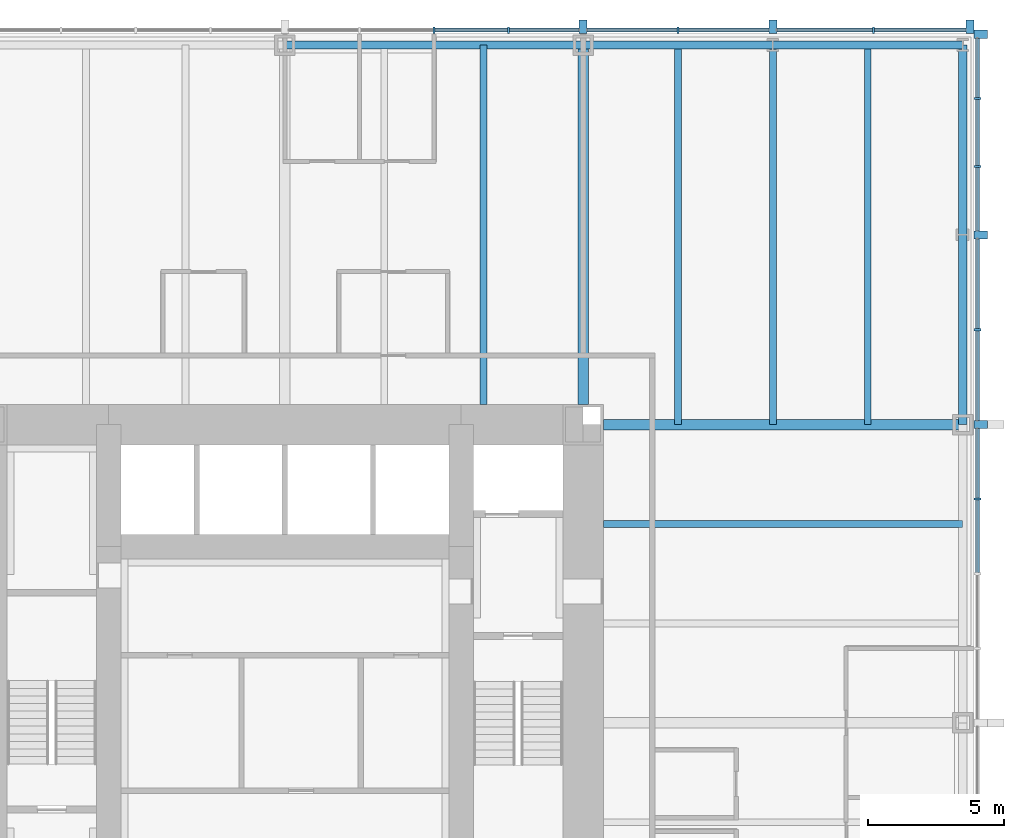
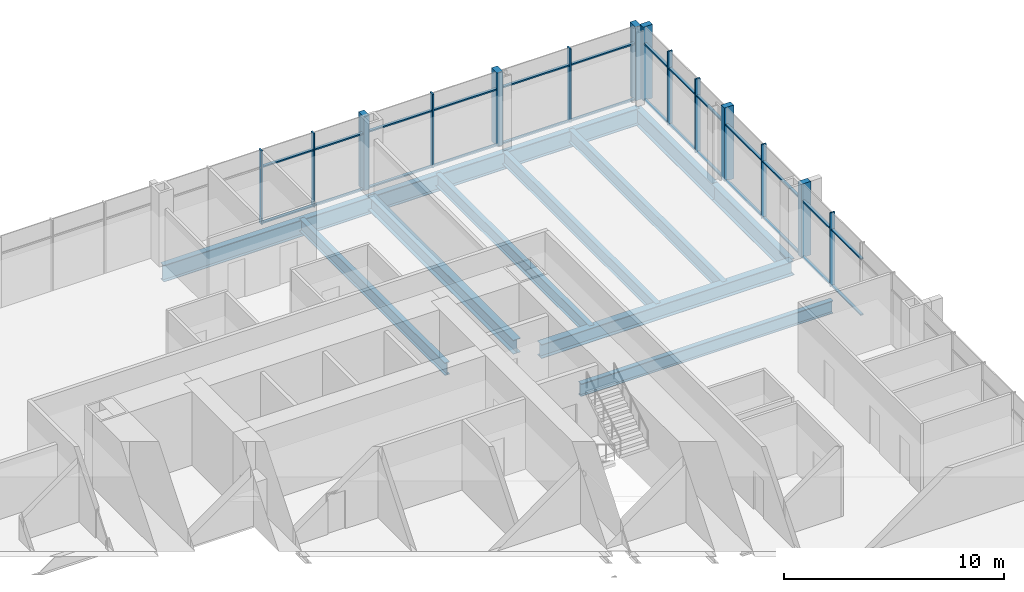
# One storey, part 6 of 12: 40 members, 12 beams, 2 elements without a shape of their own.
"""IFC4 building model written with IfcOpenShell, lengths in metres."""

from ifc_helpers import new_model, si_unit, direction, frame, origin, origin_2d, place, context, subcontext, project, spatial, rectangle, i_section, extrude, material, material_profile, profile_set, type_object, element, aggregate, save


model = new_model("IFC4")

# Units and contexts
model_context = context("Model", 3, precision=1e-05, world=origin(), true_north=direction((0.0, 1.0)))
body_context = subcontext(model_context, "Body", "Model", "MODEL_VIEW")
ifc_project = project(units=[si_unit("LENGTHUNIT", "METRE"), si_unit("AREAUNIT", "SQUARE_METRE"), si_unit("VOLUMEUNIT", "CUBIC_METRE"), si_unit("PLANEANGLEUNIT", "RADIAN"), si_unit("MASSUNIT", "GRAM", prefix="KILO")], contexts=[model_context])

# Site, building, storey
site_placement = place(None, origin())
site = spatial("IfcSite", under=ifc_project, at=site_placement, CompositionType="ELEMENT")
building_placement = place(site_placement, origin())
building = spatial("IfcBuilding", under=site, at=building_placement, Name="Trevanion Tower", CompositionType="ELEMENT")
storey_placement = place(building_placement, frame((0.0, 0.0, 24.199951171875)))
storey = spatial("IfcBuildingStorey", under=building, at=storey_placement, Name="L05", CompositionType="ELEMENT", Elevation=24.199951171875)

# Beams
ifc_material_1 = material(Name="Steel ASTM A992 Grade 50", Category="steel")
ifc_material_profile_1 = material_profile(ifc_material_1, i_section(OverallWidth=0.25390625, OverallDepth=0.700927734375, WebThickness=0.015380859375, FlangeThickness=0.02783203125, at=origin_2d()), Name="W27X129")
ifc_profile_set_1 = profile_set([ifc_material_profile_1], Name="Steel ASTM A992 Grade 50")
beam_type_1 = type_object("IfcBeamType", Name="B3 W27X129", PredefinedType="BEAM", material=ifc_profile_set_1)
for number, where, z_axis, x_axis, name in (
    (1, (11.75, 7.333251953125, -0.54052734375), (1.0, 0.0, 0.0), (0.0, 1.0, 0.0), "B3 L05"),
    (2, (7.333251953125, 11.75, -0.54052734375), (0.0, 1.0, 0.0), (-1.0, 0.0, 0.0), "B3 L05"),
):
    element("IfcBeam", number, at=place(storey_placement, frame(where, z_axis=z_axis, x_axis=x_axis)), inside=storey, type_object=beam_type_1, Name=name, PredefinedType="BEAM", context=body_context, shape_type="SweptSolid", body=[
        extrude(i_section(OverallWidth=0.25390625, OverallDepth=0.700927734375, WebThickness=0.015380859375, FlangeThickness=0.02783203125, at=origin_2d()), origin(), (0.0, 0.0, 1.0), 13.25),
    ])
ifc_material_2 = material(Name="Steel ASTM A992 Grade 50", Category="steel")
ifc_material_profile_2 = material_profile(ifc_material_2, i_section(OverallWidth=0.256591796875, OverallDepth=0.693359375, WebThickness=0.014404296875, FlangeThickness=0.023681640625, at=origin_2d()), Name="W27X114")
ifc_profile_set_2 = profile_set([ifc_material_profile_2], Name="Steel ASTM A992 Grade 50")
beam_type_2 = type_object("IfcBeamType", Name="B4 W27X114", PredefinedType="BEAM", material=ifc_profile_set_2)
for number, where, z_axis, x_axis, name in (
    (3, (14.5, 11.0, -0.53662109375), (0.0, 1.0, 0.0), (-1.0, 0.0, 0.0), "B4 L05"),
    (4, (18.0, 11.0, -0.53662109375), (0.0, 1.0, 0.0), (-1.0, 0.0, 0.0), "B4 L05"),
    (5, (21.5, 11.0, -0.53662109375), (0.0, 1.0, 0.0), (-1.0, 0.0, 0.0), "B4 L05"),
):
    element("IfcBeam", number, at=place(storey_placement, frame(where, z_axis=z_axis, x_axis=x_axis)), inside=storey, type_object=beam_type_2, Name=name, PredefinedType="BEAM", context=body_context, shape_type="SweptSolid", body=[
        extrude(i_section(OverallWidth=0.256591796875, OverallDepth=0.693359375, WebThickness=0.014404296875, FlangeThickness=0.023681640625, at=origin_2d()), origin(), (0.0, 0.0, 1.0), 14.0),
    ])

# Curtain wall, members
ifc_material_3 = material(Name="Aluminium and glass", Category="aluminium")
curtain_wall_type = type_object("IfcCurtainWallType", Name="CW1 curtain wall", PredefinedType="USERDEFINED", material=ifc_material_3)
curtain_wall_1_placement = place(storey_placement, origin())
curtain_wall_1 = element("IfcCurtainWall", 6, at=curtain_wall_1_placement, inside=storey, type_object=curtain_wall_type, Name="CW1 L05 0", ObjectType="UNITISED CURTAIN WALL", PredefinedType="USERDEFINED")
ifc_material_4 = material(Name="Aluminium extrusion, anodised bronze", Category="aluminium")
ifc_material_profile_3 = material_profile(ifc_material_4, rectangle(XDim=0.074951171875, YDim=0.25, at=origin_2d()), Name="CW1 mullion")
ifc_profile_set_3 = profile_set([ifc_material_profile_3], Name="Aluminium extrusion, anodised bronze")
member_type_1 = type_object("IfcMemberType", Name="CW1 mullion", PredefinedType="MULLION", material=ifc_profile_set_3)
member_1_placement = place(storey_placement, frame((25.550048828125, 8.25, -0.18994140625), z_axis=(0.0, 0.0, 1.0), x_axis=(0.0, 1.0, 0.0)))
member_1 = element("IfcMember", 7, at=member_1_placement, type_object=member_type_1, Name="CW1 mullion 12", PredefinedType="MULLION", context=body_context, shape_type="SweptSolid", body=[
    extrude(rectangle(XDim=0.074951171875, YDim=0.25, at=origin_2d()), origin(), (0.0, 0.0, 1.0), 4.10009765625),
])
member_2_placement = place(storey_placement, frame((25.550048828125, 14.5, -0.18994140625), z_axis=(0.0, 0.0, 1.0), x_axis=(0.0, 1.0, 0.0)))
member_2 = element("IfcMember", 8, at=member_2_placement, type_object=member_type_1, Name="CW1 mullion 14", PredefinedType="MULLION", context=body_context, shape_type="SweptSolid", body=[
    extrude(rectangle(XDim=0.074951171875, YDim=0.25, at=origin_2d()), origin(), (0.0, 0.0, 1.0), 4.10009765625),
])
member_3_placement = place(storey_placement, frame((25.550048828125, 20.5166015625, -0.18994140625), z_axis=(0.0, 0.0, 1.0), x_axis=(0.0, 1.0, 0.0)))
member_3 = element("IfcMember", 9, at=member_3_placement, type_object=member_type_1, Name="CW1 mullion 16", PredefinedType="MULLION", context=body_context, shape_type="SweptSolid", body=[
    extrude(rectangle(XDim=0.074951171875, YDim=0.25, at=origin_2d()), origin(), (0.0, 0.0, 1.0), 4.10009765625),
])
member_4_placement = place(storey_placement, frame((25.550048828125, 23.033203125, -0.18994140625), z_axis=(0.0, 0.0, 1.0), x_axis=(0.0, 1.0, 0.0)))
member_4 = element("IfcMember", 10, at=member_4_placement, type_object=member_type_1, Name="CW1 mullion 17", PredefinedType="MULLION", context=body_context, shape_type="SweptSolid", body=[
    extrude(rectangle(XDim=0.074951171875, YDim=0.25, at=origin_2d()), origin(), (0.0, 0.0, 1.0), 4.10009765625),
])

curtain_wall_2_placement = place(storey_placement, origin())
curtain_wall_2 = element("IfcCurtainWall", 11, at=curtain_wall_2_placement, inside=storey, type_object=curtain_wall_type, Name="CW1 L05 1", ObjectType="UNITISED CURTAIN WALL", PredefinedType="USERDEFINED")
member_5_placement = place(storey_placement, frame((21.7099609375, 25.550048828125, -0.18994140625), z_axis=(0.0, 0.0, 1.0), x_axis=(-1.0, 0.0, 0.0)))
member_5 = element("IfcMember", 12, at=member_5_placement, type_object=member_type_1, Name="CW1 mullion 2", PredefinedType="MULLION", context=body_context, shape_type="SweptSolid", body=[
    extrude(rectangle(XDim=0.074951171875, YDim=0.25, at=origin_2d()), origin(), (0.0, 0.0, 1.0), 4.10009765625),
])
member_6_placement = place(storey_placement, frame((14.5, 25.550048828125, -0.18994140625), z_axis=(0.0, 0.0, 1.0), x_axis=(-1.0, 0.0, 0.0)))
member_6 = element("IfcMember", 13, at=member_6_placement, type_object=member_type_1, Name="CW1 mullion 4", PredefinedType="MULLION", context=body_context, shape_type="SweptSolid", body=[
    extrude(rectangle(XDim=0.074951171875, YDim=0.25, at=origin_2d()), origin(), (0.0, 0.0, 1.0), 4.10009765625),
])
member_7_placement = place(storey_placement, frame((8.25, 25.550048828125, -0.18994140625), z_axis=(0.0, 0.0, 1.0), x_axis=(-1.0, 0.0, 0.0)))
member_7 = element("IfcMember", 14, at=member_7_placement, type_object=member_type_1, Name="CW1 mullion 6", PredefinedType="MULLION", context=body_context, shape_type="SweptSolid", body=[
    extrude(rectangle(XDim=0.074951171875, YDim=0.25, at=origin_2d()), origin(), (0.0, 0.0, 1.0), 4.10009765625),
])
member_8_placement = place(storey_placement, frame((5.5, 25.550048828125, -0.18994140625), z_axis=(0.0, 0.0, 1.0), x_axis=(-1.0, 0.0, 0.0)))
member_8 = element("IfcMember", 15, at=member_8_placement, type_object=member_type_1, Name="CW1 mullion 7", PredefinedType="MULLION", context=body_context, shape_type="SweptSolid", body=[
    extrude(rectangle(XDim=0.074951171875, YDim=0.25, at=origin_2d()), origin(), (0.0, 0.0, 1.0), 4.10009765625),
])

# Member
ifc_material_5 = material(Name="Aluminium extrusion, anodised bronze", Category="aluminium")
ifc_material_profile_4 = material_profile(ifc_material_5, rectangle(XDim=0.300048828125, YDim=0.5, at=origin_2d()), Name="CW1 pier mullion")
ifc_profile_set_4 = profile_set([ifc_material_profile_4], Name="Aluminium extrusion, anodised bronze")
member_type_2 = type_object("IfcMemberType", Name="CW1 pier mullion", PredefinedType="MULLION", material=ifc_profile_set_4)
member_9_placement = place(storey_placement, frame((25.675048828125, 11.0, -0.18994140625), z_axis=(0.0, 0.0, 1.0), x_axis=(0.0, 1.0, 0.0)))
member_9 = element("IfcMember", 16, at=member_9_placement, type_object=member_type_2, Name="CW1 pier mullion 13", PredefinedType="MULLION", context=body_context, shape_type="SweptSolid", body=[
    extrude(rectangle(XDim=0.300048828125, YDim=0.5, at=origin_2d()), origin(), (0.0, 0.0, 1.0), 4.10009765625),
])

member_10_placement = place(storey_placement, frame((25.675048828125, 18.0, -0.18994140625), z_axis=(0.0, 0.0, 1.0), x_axis=(0.0, 1.0, 0.0)))
member_10 = element("IfcMember", 17, at=member_10_placement, type_object=member_type_2, Name="CW1 pier mullion 15", PredefinedType="MULLION", context=body_context, shape_type="SweptSolid", body=[
    extrude(rectangle(XDim=0.300048828125, YDim=0.5, at=origin_2d()), origin(), (0.0, 0.0, 1.0), 4.10009765625),
])

member_11_placement = place(storey_placement, frame((25.675048828125, 25.39990234375, -0.18994140625), z_axis=(0.0, 0.0, 1.0), x_axis=(0.0, 1.0, 0.0)))
member_11 = element("IfcMember", 18, at=member_11_placement, type_object=member_type_2, Name="CW1 pier mullion 18", PredefinedType="MULLION", context=body_context, shape_type="SweptSolid", body=[
    extrude(rectangle(XDim=0.300048828125, YDim=0.5, at=origin_2d()), origin(), (0.0, 0.0, 1.0), 4.10009765625),
])

member_12_placement = place(storey_placement, frame((25.27001953125, 25.675048828125, -0.18994140625), z_axis=(0.0, 0.0, 1.0), x_axis=(-1.0, 0.0, 0.0)))
member_12 = element("IfcMember", 19, at=member_12_placement, type_object=member_type_2, Name="CW1 pier mullion 1", PredefinedType="MULLION", context=body_context, shape_type="SweptSolid", body=[
    extrude(rectangle(XDim=0.300048828125, YDim=0.5, at=origin_2d()), origin(), (0.0, 0.0, 1.0), 4.10009765625),
])

member_13_placement = place(storey_placement, frame((18.0, 25.675048828125, -0.18994140625), z_axis=(0.0, 0.0, 1.0), x_axis=(-1.0, 0.0, 0.0)))
member_13 = element("IfcMember", 20, at=member_13_placement, type_object=member_type_2, Name="CW1 pier mullion 3", PredefinedType="MULLION", context=body_context, shape_type="SweptSolid", body=[
    extrude(rectangle(XDim=0.300048828125, YDim=0.5, at=origin_2d()), origin(), (0.0, 0.0, 1.0), 4.10009765625),
])

member_14_placement = place(storey_placement, frame((11.0, 25.675048828125, -0.18994140625), z_axis=(0.0, 0.0, 1.0), x_axis=(-1.0, 0.0, 0.0)))
member_14 = element("IfcMember", 21, at=member_14_placement, type_object=member_type_2, Name="CW1 pier mullion 5", PredefinedType="MULLION", context=body_context, shape_type="SweptSolid", body=[
    extrude(rectangle(XDim=0.300048828125, YDim=0.5, at=origin_2d()), origin(), (0.0, 0.0, 1.0), 4.10009765625),
])

ifc_material_6 = material(Name="Aluminium extrusion, anodised bronze", Category="aluminium")
ifc_material_profile_5 = material_profile(ifc_material_6, rectangle(XDim=0.14990234375, YDim=0.074951171875, at=origin_2d()), Name="CW1 transom")
ifc_profile_set_5 = profile_set([ifc_material_profile_5], Name="Aluminium extrusion, anodised bronze")
member_type_3 = type_object("IfcMemberType", Name="CW1 transom", PredefinedType="USERDEFINED", material=ifc_profile_set_5)
member_15_placement = place(storey_placement, frame((25.550048828125, 5.53759765625, -0.15234375), z_axis=(0.0, 1.0, 0.0), x_axis=(-1.0, 0.0, 0.0)))
member_15 = element("IfcMember", 22, at=member_15_placement, type_object=member_type_3, Name="CW1 transom 11.1", ObjectType="TRANSOM", PredefinedType="USERDEFINED", context=body_context, shape_type="SweptSolid", body=[
    extrude(rectangle(XDim=0.14990234375, YDim=0.074951171875, at=origin_2d()), origin(), (0.0, 0.0, 1.0), 2.6748046875),
])

member_16_placement = place(storey_placement, frame((25.550048828125, 5.53759765625, 2.9599609375), z_axis=(0.0, 1.0, 0.0), x_axis=(-1.0, 0.0, 0.0)))
member_16 = element("IfcMember", 23, at=member_16_placement, type_object=member_type_3, Name="CW1 transom 11.2", ObjectType="TRANSOM", PredefinedType="USERDEFINED", context=body_context, shape_type="SweptSolid", body=[
    extrude(rectangle(XDim=0.14990234375, YDim=0.074951171875, at=origin_2d()), origin(), (0.0, 0.0, 1.0), 2.6748046875),
])

member_17_placement = place(storey_placement, frame((25.550048828125, 8.28759765625, -0.15234375), z_axis=(0.0, 1.0, 0.0), x_axis=(-1.0, 0.0, 0.0)))
member_17 = element("IfcMember", 24, at=member_17_placement, type_object=member_type_3, Name="CW1 transom 12.1", ObjectType="TRANSOM", PredefinedType="USERDEFINED", context=body_context, shape_type="SweptSolid", body=[
    extrude(rectangle(XDim=0.14990234375, YDim=0.074951171875, at=origin_2d()), origin(), (0.0, 0.0, 1.0), 2.5625),
])

member_18_placement = place(storey_placement, frame((25.550048828125, 8.28759765625, 2.9599609375), z_axis=(0.0, 1.0, 0.0), x_axis=(-1.0, 0.0, 0.0)))
member_18 = element("IfcMember", 25, at=member_18_placement, type_object=member_type_3, Name="CW1 transom 12.2", ObjectType="TRANSOM", PredefinedType="USERDEFINED", context=body_context, shape_type="SweptSolid", body=[
    extrude(rectangle(XDim=0.14990234375, YDim=0.074951171875, at=origin_2d()), origin(), (0.0, 0.0, 1.0), 2.5625),
])

member_19_placement = place(storey_placement, frame((25.550048828125, 11.14990234375, -0.15234375), z_axis=(0.0, 1.0, 0.0), x_axis=(-1.0, 0.0, 0.0)))
member_19 = element("IfcMember", 26, at=member_19_placement, type_object=member_type_3, Name="CW1 transom 13.1", ObjectType="TRANSOM", PredefinedType="USERDEFINED", context=body_context, shape_type="SweptSolid", body=[
    extrude(rectangle(XDim=0.14990234375, YDim=0.074951171875, at=origin_2d()), origin(), (0.0, 0.0, 1.0), 3.3125),
])

member_20_placement = place(storey_placement, frame((25.550048828125, 11.14990234375, 2.9599609375), z_axis=(0.0, 1.0, 0.0), x_axis=(-1.0, 0.0, 0.0)))
member_20 = element("IfcMember", 27, at=member_20_placement, type_object=member_type_3, Name="CW1 transom 13.2", ObjectType="TRANSOM", PredefinedType="USERDEFINED", context=body_context, shape_type="SweptSolid", body=[
    extrude(rectangle(XDim=0.14990234375, YDim=0.074951171875, at=origin_2d()), origin(), (0.0, 0.0, 1.0), 3.3125),
])

member_21_placement = place(storey_placement, frame((25.550048828125, 14.53759765625, -0.15234375), z_axis=(0.0, 1.0, 0.0), x_axis=(-1.0, 0.0, 0.0)))
member_21 = element("IfcMember", 28, at=member_21_placement, type_object=member_type_3, Name="CW1 transom 14.1", ObjectType="TRANSOM", PredefinedType="USERDEFINED", context=body_context, shape_type="SweptSolid", body=[
    extrude(rectangle(XDim=0.14990234375, YDim=0.074951171875, at=origin_2d()), origin(), (0.0, 0.0, 1.0), 3.3125),
])

member_22_placement = place(storey_placement, frame((25.550048828125, 14.53759765625, 2.9599609375), z_axis=(0.0, 1.0, 0.0), x_axis=(-1.0, 0.0, 0.0)))
member_22 = element("IfcMember", 29, at=member_22_placement, type_object=member_type_3, Name="CW1 transom 14.2", ObjectType="TRANSOM", PredefinedType="USERDEFINED", context=body_context, shape_type="SweptSolid", body=[
    extrude(rectangle(XDim=0.14990234375, YDim=0.074951171875, at=origin_2d()), origin(), (0.0, 0.0, 1.0), 3.3125),
])

member_23_placement = place(storey_placement, frame((25.550048828125, 18.14990234375, -0.15234375), z_axis=(0.0, 1.0, 0.0), x_axis=(-1.0, 0.0, 0.0)))
member_23 = element("IfcMember", 30, at=member_23_placement, type_object=member_type_3, Name="CW1 transom 15.1", ObjectType="TRANSOM", PredefinedType="USERDEFINED", context=body_context, shape_type="SweptSolid", body=[
    extrude(rectangle(XDim=0.14990234375, YDim=0.074951171875, at=origin_2d()), origin(), (0.0, 0.0, 1.0), 2.329345703125),
])

member_24_placement = place(storey_placement, frame((25.550048828125, 18.14990234375, 2.9599609375), z_axis=(0.0, 1.0, 0.0), x_axis=(-1.0, 0.0, 0.0)))
member_24 = element("IfcMember", 31, at=member_24_placement, type_object=member_type_3, Name="CW1 transom 15.2", ObjectType="TRANSOM", PredefinedType="USERDEFINED", context=body_context, shape_type="SweptSolid", body=[
    extrude(rectangle(XDim=0.14990234375, YDim=0.074951171875, at=origin_2d()), origin(), (0.0, 0.0, 1.0), 2.329345703125),
])

member_25_placement = place(storey_placement, frame((25.550048828125, 20.55419921875, -0.15234375), z_axis=(0.0, 1.0, 0.0), x_axis=(-1.0, 0.0, 0.0)))
member_25 = element("IfcMember", 32, at=member_25_placement, type_object=member_type_3, Name="CW1 transom 16.1", ObjectType="TRANSOM", PredefinedType="USERDEFINED", context=body_context, shape_type="SweptSolid", body=[
    extrude(rectangle(XDim=0.14990234375, YDim=0.074951171875, at=origin_2d()), origin(), (0.0, 0.0, 1.0), 2.441650390625),
])

member_26_placement = place(storey_placement, frame((25.550048828125, 20.55419921875, 2.9599609375), z_axis=(0.0, 1.0, 0.0), x_axis=(-1.0, 0.0, 0.0)))
member_26 = element("IfcMember", 33, at=member_26_placement, type_object=member_type_3, Name="CW1 transom 16.2", ObjectType="TRANSOM", PredefinedType="USERDEFINED", context=body_context, shape_type="SweptSolid", body=[
    extrude(rectangle(XDim=0.14990234375, YDim=0.074951171875, at=origin_2d()), origin(), (0.0, 0.0, 1.0), 2.441650390625),
])

member_27_placement = place(storey_placement, frame((25.550048828125, 23.07080078125, -0.15234375), z_axis=(0.0, 1.0, 0.0), x_axis=(-1.0, 0.0, 0.0)))
member_27 = element("IfcMember", 34, at=member_27_placement, type_object=member_type_3, Name="CW1 transom 17.1", ObjectType="TRANSOM", PredefinedType="USERDEFINED", context=body_context, shape_type="SweptSolid", body=[
    extrude(rectangle(XDim=0.14990234375, YDim=0.074951171875, at=origin_2d()), origin(), (0.0, 0.0, 1.0), 2.17919921875),
])

member_28_placement = place(storey_placement, frame((25.550048828125, 23.07080078125, 2.9599609375), z_axis=(0.0, 1.0, 0.0), x_axis=(-1.0, 0.0, 0.0)))
member_28 = element("IfcMember", 35, at=member_28_placement, type_object=member_type_3, Name="CW1 transom 17.2", ObjectType="TRANSOM", PredefinedType="USERDEFINED", context=body_context, shape_type="SweptSolid", body=[
    extrude(rectangle(XDim=0.14990234375, YDim=0.074951171875, at=origin_2d()), origin(), (0.0, 0.0, 1.0), 2.17919921875),
])

aggregate(curtain_wall_1, [member_1, member_9, member_2, member_10, member_3, member_4, member_11, member_15, member_16, member_17, member_18, member_19, member_20, member_21, member_22, member_23, member_24, member_25, member_26, member_27, member_28])

member_29_placement = place(storey_placement, frame((25.1201171875, 25.550048828125, -0.15234375), z_axis=(-1.0, 0.0, 0.0), x_axis=(0.0, -1.0, 0.0)))
member_29 = element("IfcMember", 36, at=member_29_placement, type_object=member_type_3, Name="CW1 transom 1.1", ObjectType="TRANSOM", PredefinedType="USERDEFINED", context=body_context, shape_type="SweptSolid", body=[
    extrude(rectangle(XDim=0.14990234375, YDim=0.074951171875, at=origin_2d()), origin(), (0.0, 0.0, 1.0), 3.37255859375),
])

member_30_placement = place(storey_placement, frame((25.1201171875, 25.550048828125, 2.9599609375), z_axis=(-1.0, 0.0, 0.0), x_axis=(0.0, -1.0, 0.0)))
member_30 = element("IfcMember", 37, at=member_30_placement, type_object=member_type_3, Name="CW1 transom 1.2", ObjectType="TRANSOM", PredefinedType="USERDEFINED", context=body_context, shape_type="SweptSolid", body=[
    extrude(rectangle(XDim=0.14990234375, YDim=0.074951171875, at=origin_2d()), origin(), (0.0, 0.0, 1.0), 3.37255859375),
])

member_31_placement = place(storey_placement, frame((21.672607421875, 25.550048828125, -0.15234375), z_axis=(-1.0, 0.0, 0.0), x_axis=(0.0, -1.0, 0.0)))
member_31 = element("IfcMember", 38, at=member_31_placement, type_object=member_type_3, Name="CW1 transom 2.1", ObjectType="TRANSOM", PredefinedType="USERDEFINED", context=body_context, shape_type="SweptSolid", body=[
    extrude(rectangle(XDim=0.14990234375, YDim=0.074951171875, at=origin_2d()), origin(), (0.0, 0.0, 1.0), 3.522705078125),
])

member_32_placement = place(storey_placement, frame((21.672607421875, 25.550048828125, 2.9599609375), z_axis=(-1.0, 0.0, 0.0), x_axis=(0.0, -1.0, 0.0)))
member_32 = element("IfcMember", 39, at=member_32_placement, type_object=member_type_3, Name="CW1 transom 2.2", ObjectType="TRANSOM", PredefinedType="USERDEFINED", context=body_context, shape_type="SweptSolid", body=[
    extrude(rectangle(XDim=0.14990234375, YDim=0.074951171875, at=origin_2d()), origin(), (0.0, 0.0, 1.0), 3.522705078125),
])

member_33_placement = place(storey_placement, frame((17.85009765625, 25.550048828125, -0.15234375), z_axis=(-1.0, 0.0, 0.0), x_axis=(0.0, -1.0, 0.0)))
member_33 = element("IfcMember", 40, at=member_33_placement, type_object=member_type_3, Name="CW1 transom 3.1", ObjectType="TRANSOM", PredefinedType="USERDEFINED", context=body_context, shape_type="SweptSolid", body=[
    extrude(rectangle(XDim=0.14990234375, YDim=0.074951171875, at=origin_2d()), origin(), (0.0, 0.0, 1.0), 3.3125),
])

member_34_placement = place(storey_placement, frame((17.85009765625, 25.550048828125, 2.9599609375), z_axis=(-1.0, 0.0, 0.0), x_axis=(0.0, -1.0, 0.0)))
member_34 = element("IfcMember", 41, at=member_34_placement, type_object=member_type_3, Name="CW1 transom 3.2", ObjectType="TRANSOM", PredefinedType="USERDEFINED", context=body_context, shape_type="SweptSolid", body=[
    extrude(rectangle(XDim=0.14990234375, YDim=0.074951171875, at=origin_2d()), origin(), (0.0, 0.0, 1.0), 3.3125),
])

member_35_placement = place(storey_placement, frame((14.46240234375, 25.550048828125, -0.15234375), z_axis=(-1.0, 0.0, 0.0), x_axis=(0.0, -1.0, 0.0)))
member_35 = element("IfcMember", 42, at=member_35_placement, type_object=member_type_3, Name="CW1 transom 4.1", ObjectType="TRANSOM", PredefinedType="USERDEFINED", context=body_context, shape_type="SweptSolid", body=[
    extrude(rectangle(XDim=0.14990234375, YDim=0.074951171875, at=origin_2d()), origin(), (0.0, 0.0, 1.0), 3.3125),
])

member_36_placement = place(storey_placement, frame((14.46240234375, 25.550048828125, 2.9599609375), z_axis=(-1.0, 0.0, 0.0), x_axis=(0.0, -1.0, 0.0)))
member_36 = element("IfcMember", 43, at=member_36_placement, type_object=member_type_3, Name="CW1 transom 4.2", ObjectType="TRANSOM", PredefinedType="USERDEFINED", context=body_context, shape_type="SweptSolid", body=[
    extrude(rectangle(XDim=0.14990234375, YDim=0.074951171875, at=origin_2d()), origin(), (0.0, 0.0, 1.0), 3.3125),
])

member_37_placement = place(storey_placement, frame((10.85009765625, 25.550048828125, -0.15234375), z_axis=(-1.0, 0.0, 0.0), x_axis=(0.0, -1.0, 0.0)))
member_37 = element("IfcMember", 44, at=member_37_placement, type_object=member_type_3, Name="CW1 transom 5.1", ObjectType="TRANSOM", PredefinedType="USERDEFINED", context=body_context, shape_type="SweptSolid", body=[
    extrude(rectangle(XDim=0.14990234375, YDim=0.074951171875, at=origin_2d()), origin(), (0.0, 0.0, 1.0), 2.5625),
])

member_38_placement = place(storey_placement, frame((10.85009765625, 25.550048828125, 2.9599609375), z_axis=(-1.0, 0.0, 0.0), x_axis=(0.0, -1.0, 0.0)))
member_38 = element("IfcMember", 45, at=member_38_placement, type_object=member_type_3, Name="CW1 transom 5.2", ObjectType="TRANSOM", PredefinedType="USERDEFINED", context=body_context, shape_type="SweptSolid", body=[
    extrude(rectangle(XDim=0.14990234375, YDim=0.074951171875, at=origin_2d()), origin(), (0.0, 0.0, 1.0), 2.5625),
])

member_39_placement = place(storey_placement, frame((8.21240234375, 25.550048828125, -0.15234375), z_axis=(-1.0, 0.0, 0.0), x_axis=(0.0, -1.0, 0.0)))
member_39 = element("IfcMember", 46, at=member_39_placement, type_object=member_type_3, Name="CW1 transom 6.1", ObjectType="TRANSOM", PredefinedType="USERDEFINED", context=body_context, shape_type="SweptSolid", body=[
    extrude(rectangle(XDim=0.14990234375, YDim=0.074951171875, at=origin_2d()), origin(), (0.0, 0.0, 1.0), 2.6748046875),
])

member_40_placement = place(storey_placement, frame((8.21240234375, 25.550048828125, 2.9599609375), z_axis=(-1.0, 0.0, 0.0), x_axis=(0.0, -1.0, 0.0)))
member_40 = element("IfcMember", 47, at=member_40_placement, type_object=member_type_3, Name="CW1 transom 6.2", ObjectType="TRANSOM", PredefinedType="USERDEFINED", context=body_context, shape_type="SweptSolid", body=[
    extrude(rectangle(XDim=0.14990234375, YDim=0.074951171875, at=origin_2d()), origin(), (0.0, 0.0, 1.0), 2.6748046875),
])

aggregate(curtain_wall_2, [member_12, member_5, member_13, member_6, member_14, member_7, member_8, member_29, member_30, member_31, member_32, member_33, member_34, member_35, member_36, member_37, member_38, member_39, member_40])

# Beams
ifc_material_7 = material(Name="Steel ASTM A992 Grade 50", Category="steel")
ifc_material_profile_6 = material_profile(ifc_material_7, i_section(OverallWidth=0.381103515625, OverallDepth=0.77978515625, WebThickness=0.01806640625, FlangeThickness=0.0302734375, at=origin_2d()), Name="W30X191")
ifc_profile_set_6 = profile_set([ifc_material_profile_6], Name="Steel ASTM A992 Grade 50")
beam_type_3 = type_object("IfcBeamType", Name="G2 W30X191", PredefinedType="BEAM", material=ifc_profile_set_6)
for number, where, z_axis, x_axis, name in (
    (48, (11.75, 11.0, -0.579833984375), (1.0, 0.0, 0.0), (0.0, 1.0, 0.0), "G2 L05"),
    (49, (11.0, 11.75, -0.579833984375), (0.0, 1.0, 0.0), (-1.0, 0.0, 0.0), "G2 L05"),
):
    element("IfcBeam", number, at=place(storey_placement, frame(where, z_axis=z_axis, x_axis=x_axis)), inside=storey, type_object=beam_type_3, Name=name, PredefinedType="BEAM", context=body_context, shape_type="SweptSolid", body=[
        extrude(i_section(OverallWidth=0.381103515625, OverallDepth=0.77978515625, WebThickness=0.01806640625, FlangeThickness=0.0302734375, at=origin_2d()), origin(), (0.0, 0.0, 1.0), 13.25),
    ])
ifc_material_8 = material(Name="Steel ASTM A992 Grade 50", Category="steel")
ifc_material_profile_7 = material_profile(ifc_material_8, i_section(OverallWidth=0.307373046875, OverallDepth=0.927001953125, WebThickness=0.01953125, FlangeThickness=0.031982421875, at=origin_2d()), Name="W36X194")
ifc_profile_set_7 = profile_set([ifc_material_profile_7], Name="Steel ASTM A992 Grade 50")
beam_type_4 = type_object("IfcBeamType", Name="SB2 W36X194", PredefinedType="SPANDREL", material=ifc_profile_set_7)
for number, where, z_axis, x_axis, name in (
    (50, (25.0, 11.0, -0.653564453125), (0.0, 1.0, 0.0), (-1.0, 0.0, 0.0), "SB2 L05"),
    (51, (25.0, 18.0, -0.653564453125), (0.0, 1.0, 0.0), (-1.0, 0.0, 0.0), "SB2 L05"),
    (52, (25.0, 25.0, -0.653564453125), (-1.0, 0.0, 0.0), (0.0, -1.0, 0.0), "SB2 L05"),
    (53, (18.0, 25.0, -0.653564453125), (-1.0, 0.0, 0.0), (0.0, -1.0, 0.0), "SB2 L05"),
):
    element("IfcBeam", number, at=place(storey_placement, frame(where, z_axis=z_axis, x_axis=x_axis)), inside=storey, type_object=beam_type_4, Name=name, PredefinedType="SPANDREL", context=body_context, shape_type="SweptSolid", body=[
        extrude(i_section(OverallWidth=0.307373046875, OverallDepth=0.927001953125, WebThickness=0.01953125, FlangeThickness=0.031982421875, at=origin_2d()), origin(), (0.0, 0.0, 1.0), 7.0),
    ])
beam_placement = place(storey_placement, frame((11.0, 25.0, -0.653564453125), z_axis=(-1.0, 0.0, 0.0), x_axis=(0.0, -1.0, 0.0)))
element("IfcBeam", 54, at=beam_placement, inside=storey, type_object=beam_type_4, Name="SB2 L05", PredefinedType="SPANDREL", context=body_context, shape_type="SweptSolid", body=[
    extrude(i_section(OverallWidth=0.307373046875, OverallDepth=0.927001953125, WebThickness=0.01953125, FlangeThickness=0.031982421875, at=origin_2d()), origin(), (0.0, 0.0, 1.0), 11.0),
])

save(model, "model.ifc")
